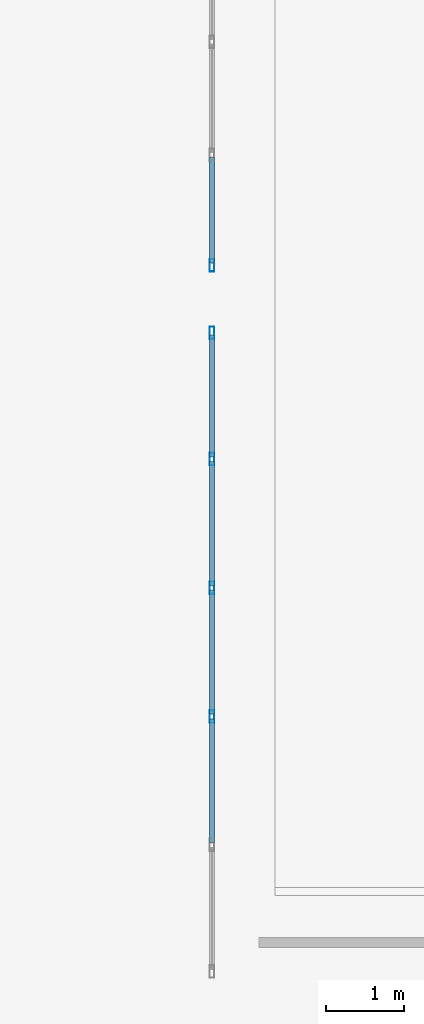
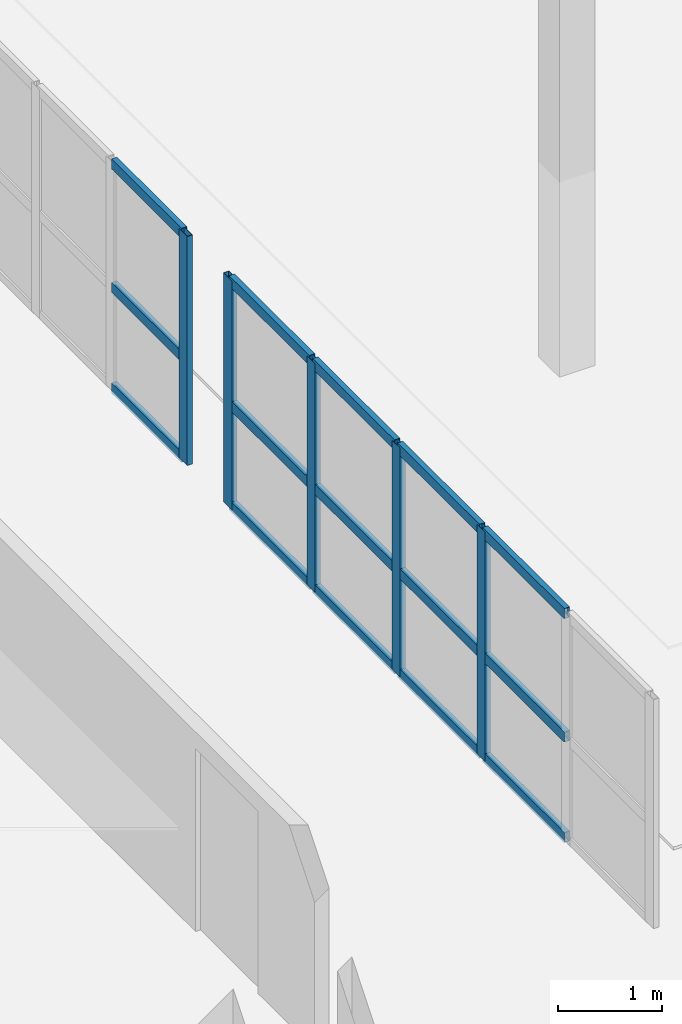
# One storey, part 12 of 30: 20 members, 2 elements without a shape of their own.
"""IFC4 building model written with IfcOpenShell, lengths in metres."""

from ifc_helpers import new_model, si_unit, direction, frame, origin, origin_2d, place, context, subcontext, project, spatial, hollow_rectangle, extrude, material, layer, layer_set, material_profile, profile_set, type_object, element, aggregate, save


model = new_model("IFC4")

# Units and contexts
model_context = context("Model", 3, precision=1e-05, world=origin(), true_north=direction((0.0, 1.0)))
body_context = subcontext(model_context, "Body", "Model", "MODEL_VIEW")
ifc_project = project(units=[si_unit("LENGTHUNIT", "METRE"), si_unit("AREAUNIT", "SQUARE_METRE"), si_unit("VOLUMEUNIT", "CUBIC_METRE"), si_unit("PLANEANGLEUNIT", "RADIAN"), si_unit("MASSUNIT", "GRAM", prefix="KILO")], contexts=[model_context])

# Site, building, storey
site_placement = place(None, origin())
site = spatial("IfcSite", under=ifc_project, at=site_placement, CompositionType="ELEMENT")
building_placement = place(site_placement, origin())
building = spatial("IfcBuilding", under=site, at=building_placement, Name="Ornek Quay Market", CompositionType="ELEMENT")
storey_placement = place(building_placement, frame((0.0, 0.0, 12.0)))
storey = spatial("IfcBuildingStorey", under=building, at=storey_placement, Name="L03", CompositionType="ELEMENT", Elevation=12.0)

# Curtain wall, members
ifc_material_1 = material(Name="Anodised bronze aluminium and triple low-e glass", Category="aluminium")
ifc_layer = layer(ifc_material_1, 0.139892578125, Name="Anodised bronze aluminium and triple low-e glass", Category="aluminium")
ifc_layer_set = layer_set([ifc_layer], Name="Anodised bronze aluminium and triple low-e glass")
curtain_wall_type = type_object("IfcCurtainWallType", Name="CW-GALLERY-INT", PredefinedType="USERDEFINED", material=ifc_layer_set)
curtain_wall_1_placement = place(storey_placement, origin())
curtain_wall_1 = element("IfcCurtainWall", 1, at=curtain_wall_1_placement, inside=storey, type_object=curtain_wall_type, Name="Curtain wall CW-173", ObjectType="CURTAIN WALL", PredefinedType="USERDEFINED")
ifc_material_2 = material(Name="Anodised aluminium 6063-T6", Category="aluminium")
ifc_material_profile_1 = material_profile(ifc_material_2, hollow_rectangle(XDim=0.06005859375, YDim=0.159912109375, WallThickness=0.00390625, at=origin_2d()), Name="CW-MUL-60x160", Category="aluminium")
ifc_profile_set_1 = profile_set([ifc_material_profile_1], Name="Anodised aluminium 6063-T6")
member_type_1 = type_object("IfcMemberType", Name="CW-MUL-60x160", PredefinedType="MULLION", material=ifc_profile_set_1)
member_1_placement = place(storey_placement, frame((167.0, 50.679931640625, 0.0), z_axis=(0.0, 0.0, 1.0), x_axis=(-1.0, 0.0, 0.0)))
member_1 = element("IfcMember", 2, at=member_1_placement, type_object=member_type_1, Name="CW-173 mullion 3", PredefinedType="MULLION", context=body_context, shape_type="SweptSolid", body=[
    extrude(hollow_rectangle(XDim=0.06005859375, YDim=0.159912109375, WallThickness=0.00390625, at=origin_2d()), origin(), (0.0, 0.0, 1.0), 2.699951171875),
])
member_2_placement = place(storey_placement, frame((167.0, 52.320068359375, 0.0), z_axis=(0.0, 0.0, 1.0), x_axis=(-1.0, 0.0, 0.0)))
member_2 = element("IfcMember", 3, at=member_2_placement, type_object=member_type_1, Name="CW-173 mullion 4", PredefinedType="MULLION", context=body_context, shape_type="SweptSolid", body=[
    extrude(hollow_rectangle(XDim=0.06005859375, YDim=0.159912109375, WallThickness=0.00390625, at=origin_2d()), origin(), (0.0, 0.0, 1.0), 2.699951171875),
])
member_3_placement = place(storey_placement, frame((167.0, 53.9599609375, 0.0), z_axis=(0.0, 0.0, 1.0), x_axis=(-1.0, 0.0, 0.0)))
member_3 = element("IfcMember", 4, at=member_3_placement, type_object=member_type_1, Name="CW-173 mullion 5", PredefinedType="MULLION", context=body_context, shape_type="SweptSolid", body=[
    extrude(hollow_rectangle(XDim=0.06005859375, YDim=0.159912109375, WallThickness=0.00390625, at=origin_2d()), origin(), (0.0, 0.0, 1.0), 2.699951171875),
])
member_4_placement = place(storey_placement, frame((167.0, 55.570068359375, 0.0), z_axis=(0.0, 0.0, 1.0), x_axis=(-1.0, 0.0, 0.0)))
member_4 = element("IfcMember", 5, at=member_4_placement, type_object=member_type_1, Name="CW-173 mullion 6", PredefinedType="MULLION", context=body_context, shape_type="SweptSolid", body=[
    extrude(hollow_rectangle(XDim=0.06005859375, YDim=0.159912109375, WallThickness=0.00390625, at=origin_2d()), origin(), (0.0, 0.0, 1.0), 2.699951171875),
])

# Curtain wall, member
curtain_wall_2_placement = place(storey_placement, origin())
curtain_wall_2 = element("IfcCurtainWall", 6, at=curtain_wall_2_placement, inside=storey, type_object=curtain_wall_type, Name="Curtain wall CW-174", ObjectType="CURTAIN WALL", PredefinedType="USERDEFINED")
member_5_placement = place(storey_placement, frame((167.0, 56.429931640625, 0.0), z_axis=(0.0, 0.0, 1.0), x_axis=(-1.0, 0.0, 0.0)))
member_5 = element("IfcMember", 7, at=member_5_placement, type_object=member_type_1, Name="CW-174 mullion 1", PredefinedType="MULLION", context=body_context, shape_type="SweptSolid", body=[
    extrude(hollow_rectangle(XDim=0.06005859375, YDim=0.159912109375, WallThickness=0.00390625, at=origin_2d()), origin(), (0.0, 0.0, 1.0), 2.699951171875),
])

# Member
ifc_material_profile_2 = material_profile(ifc_material_2, hollow_rectangle(XDim=0.06005859375, YDim=0.1201171875, WallThickness=0.00390625, at=origin_2d()), Name="CW-TRN-60x120", Category="aluminium")
ifc_profile_set_2 = profile_set([ifc_material_profile_2], Name="Anodised aluminium 6063-T6")
member_type_2 = type_object("IfcMemberType", Name="CW-TRN-60x120", PredefinedType="USERDEFINED", material=ifc_profile_set_2)
member_6_placement = place(storey_placement, frame((167.0, 49.070068359375, 0.030029296875), z_axis=(0.0, 1.0, 0.0), x_axis=(-1.0, 0.0, 0.0)))
member_6 = element("IfcMember", 8, at=member_6_placement, type_object=member_type_2, Name="CW-173 transom 2.1", ObjectType="TRANSOM", PredefinedType="USERDEFINED", context=body_context, shape_type="SweptSolid", body=[
    extrude(hollow_rectangle(XDim=0.06005859375, YDim=0.1201171875, WallThickness=0.00390625, at=origin_2d()), origin(), (0.0, 0.0, 1.0), 1.579833984375),
])

member_7_placement = place(storey_placement, frame((167.0, 49.070068359375, 1.215087890625), z_axis=(0.0, 1.0, 0.0), x_axis=(-1.0, 0.0, 0.0)))
member_7 = element("IfcMember", 9, at=member_7_placement, type_object=member_type_2, Name="CW-173 transom 2.2", ObjectType="TRANSOM", PredefinedType="USERDEFINED", context=body_context, shape_type="SweptSolid", body=[
    extrude(hollow_rectangle(XDim=0.06005859375, YDim=0.1201171875, WallThickness=0.00390625, at=origin_2d()), origin(), (0.0, 0.0, 1.0), 1.579833984375),
])

member_8_placement = place(storey_placement, frame((167.0, 49.070068359375, 2.669921875), z_axis=(0.0, 1.0, 0.0), x_axis=(-1.0, 0.0, 0.0)))
member_8 = element("IfcMember", 10, at=member_8_placement, type_object=member_type_2, Name="CW-173 transom 2.3", ObjectType="TRANSOM", PredefinedType="USERDEFINED", context=body_context, shape_type="SweptSolid", body=[
    extrude(hollow_rectangle(XDim=0.06005859375, YDim=0.1201171875, WallThickness=0.00390625, at=origin_2d()), origin(), (0.0, 0.0, 1.0), 1.579833984375),
])

member_9_placement = place(storey_placement, frame((167.0, 50.7099609375, 0.030029296875), z_axis=(0.0, 1.0, 0.0), x_axis=(-1.0, 0.0, 0.0)))
member_9 = element("IfcMember", 11, at=member_9_placement, type_object=member_type_2, Name="CW-173 transom 3.1", ObjectType="TRANSOM", PredefinedType="USERDEFINED", context=body_context, shape_type="SweptSolid", body=[
    extrude(hollow_rectangle(XDim=0.06005859375, YDim=0.1201171875, WallThickness=0.00390625, at=origin_2d()), origin(), (0.0, 0.0, 1.0), 1.580078125),
])

member_10_placement = place(storey_placement, frame((167.0, 50.7099609375, 1.215087890625), z_axis=(0.0, 1.0, 0.0), x_axis=(-1.0, 0.0, 0.0)))
member_10 = element("IfcMember", 12, at=member_10_placement, type_object=member_type_2, Name="CW-173 transom 3.2", ObjectType="TRANSOM", PredefinedType="USERDEFINED", context=body_context, shape_type="SweptSolid", body=[
    extrude(hollow_rectangle(XDim=0.06005859375, YDim=0.1201171875, WallThickness=0.00390625, at=origin_2d()), origin(), (0.0, 0.0, 1.0), 1.580078125),
])

member_11_placement = place(storey_placement, frame((167.0, 50.7099609375, 2.669921875), z_axis=(0.0, 1.0, 0.0), x_axis=(-1.0, 0.0, 0.0)))
member_11 = element("IfcMember", 13, at=member_11_placement, type_object=member_type_2, Name="CW-173 transom 3.3", ObjectType="TRANSOM", PredefinedType="USERDEFINED", context=body_context, shape_type="SweptSolid", body=[
    extrude(hollow_rectangle(XDim=0.06005859375, YDim=0.1201171875, WallThickness=0.00390625, at=origin_2d()), origin(), (0.0, 0.0, 1.0), 1.580078125),
])

member_12_placement = place(storey_placement, frame((167.0, 52.35009765625, 0.030029296875), z_axis=(0.0, 1.0, 0.0), x_axis=(-1.0, 0.0, 0.0)))
member_12 = element("IfcMember", 14, at=member_12_placement, type_object=member_type_2, Name="CW-173 transom 4.1", ObjectType="TRANSOM", PredefinedType="USERDEFINED", context=body_context, shape_type="SweptSolid", body=[
    extrude(hollow_rectangle(XDim=0.06005859375, YDim=0.1201171875, WallThickness=0.00390625, at=origin_2d()), origin(), (0.0, 0.0, 1.0), 1.579833984375),
])

member_13_placement = place(storey_placement, frame((167.0, 52.35009765625, 1.215087890625), z_axis=(0.0, 1.0, 0.0), x_axis=(-1.0, 0.0, 0.0)))
member_13 = element("IfcMember", 15, at=member_13_placement, type_object=member_type_2, Name="CW-173 transom 4.2", ObjectType="TRANSOM", PredefinedType="USERDEFINED", context=body_context, shape_type="SweptSolid", body=[
    extrude(hollow_rectangle(XDim=0.06005859375, YDim=0.1201171875, WallThickness=0.00390625, at=origin_2d()), origin(), (0.0, 0.0, 1.0), 1.579833984375),
])

member_14_placement = place(storey_placement, frame((167.0, 52.35009765625, 2.669921875), z_axis=(0.0, 1.0, 0.0), x_axis=(-1.0, 0.0, 0.0)))
member_14 = element("IfcMember", 16, at=member_14_placement, type_object=member_type_2, Name="CW-173 transom 4.3", ObjectType="TRANSOM", PredefinedType="USERDEFINED", context=body_context, shape_type="SweptSolid", body=[
    extrude(hollow_rectangle(XDim=0.06005859375, YDim=0.1201171875, WallThickness=0.00390625, at=origin_2d()), origin(), (0.0, 0.0, 1.0), 1.579833984375),
])

member_15_placement = place(storey_placement, frame((167.0, 53.989990234375, 0.030029296875), z_axis=(0.0, 1.0, 0.0), x_axis=(-1.0, 0.0, 0.0)))
member_15 = element("IfcMember", 17, at=member_15_placement, type_object=member_type_2, Name="CW-173 transom 5.1", ObjectType="TRANSOM", PredefinedType="USERDEFINED", context=body_context, shape_type="SweptSolid", body=[
    extrude(hollow_rectangle(XDim=0.06005859375, YDim=0.1201171875, WallThickness=0.00390625, at=origin_2d()), origin(), (0.0, 0.0, 1.0), 1.550048828125),
])

member_16_placement = place(storey_placement, frame((167.0, 53.989990234375, 1.215087890625), z_axis=(0.0, 1.0, 0.0), x_axis=(-1.0, 0.0, 0.0)))
member_16 = element("IfcMember", 18, at=member_16_placement, type_object=member_type_2, Name="CW-173 transom 5.2", ObjectType="TRANSOM", PredefinedType="USERDEFINED", context=body_context, shape_type="SweptSolid", body=[
    extrude(hollow_rectangle(XDim=0.06005859375, YDim=0.1201171875, WallThickness=0.00390625, at=origin_2d()), origin(), (0.0, 0.0, 1.0), 1.550048828125),
])

member_17_placement = place(storey_placement, frame((167.0, 53.989990234375, 2.669921875), z_axis=(0.0, 1.0, 0.0), x_axis=(-1.0, 0.0, 0.0)))
member_17 = element("IfcMember", 19, at=member_17_placement, type_object=member_type_2, Name="CW-173 transom 5.3", ObjectType="TRANSOM", PredefinedType="USERDEFINED", context=body_context, shape_type="SweptSolid", body=[
    extrude(hollow_rectangle(XDim=0.06005859375, YDim=0.1201171875, WallThickness=0.00390625, at=origin_2d()), origin(), (0.0, 0.0, 1.0), 1.550048828125),
])

aggregate(curtain_wall_1, [member_1, member_2, member_3, member_4, member_6, member_7, member_8, member_9, member_10, member_11, member_12, member_13, member_14, member_15, member_16, member_17])

member_18_placement = place(storey_placement, frame((167.0, 56.4599609375, 0.030029296875), z_axis=(0.0, 1.0, 0.0), x_axis=(-1.0, 0.0, 0.0)))
member_18 = element("IfcMember", 20, at=member_18_placement, type_object=member_type_2, Name="CW-174 transom 1.1", ObjectType="TRANSOM", PredefinedType="USERDEFINED", context=body_context, shape_type="SweptSolid", body=[
    extrude(hollow_rectangle(XDim=0.06005859375, YDim=0.1201171875, WallThickness=0.00390625, at=origin_2d()), origin(), (0.0, 0.0, 1.0), 1.35009765625),
])

member_19_placement = place(storey_placement, frame((167.0, 56.4599609375, 1.215087890625), z_axis=(0.0, 1.0, 0.0), x_axis=(-1.0, 0.0, 0.0)))
member_19 = element("IfcMember", 21, at=member_19_placement, type_object=member_type_2, Name="CW-174 transom 1.2", ObjectType="TRANSOM", PredefinedType="USERDEFINED", context=body_context, shape_type="SweptSolid", body=[
    extrude(hollow_rectangle(XDim=0.06005859375, YDim=0.1201171875, WallThickness=0.00390625, at=origin_2d()), origin(), (0.0, 0.0, 1.0), 1.35009765625),
])

member_20_placement = place(storey_placement, frame((167.0, 56.4599609375, 2.669921875), z_axis=(0.0, 1.0, 0.0), x_axis=(-1.0, 0.0, 0.0)))
member_20 = element("IfcMember", 22, at=member_20_placement, type_object=member_type_2, Name="CW-174 transom 1.3", ObjectType="TRANSOM", PredefinedType="USERDEFINED", context=body_context, shape_type="SweptSolid", body=[
    extrude(hollow_rectangle(XDim=0.06005859375, YDim=0.1201171875, WallThickness=0.00390625, at=origin_2d()), origin(), (0.0, 0.0, 1.0), 1.35009765625),
])

aggregate(curtain_wall_2, [member_5, member_18, member_19, member_20])

save(model, "model.ifc")
